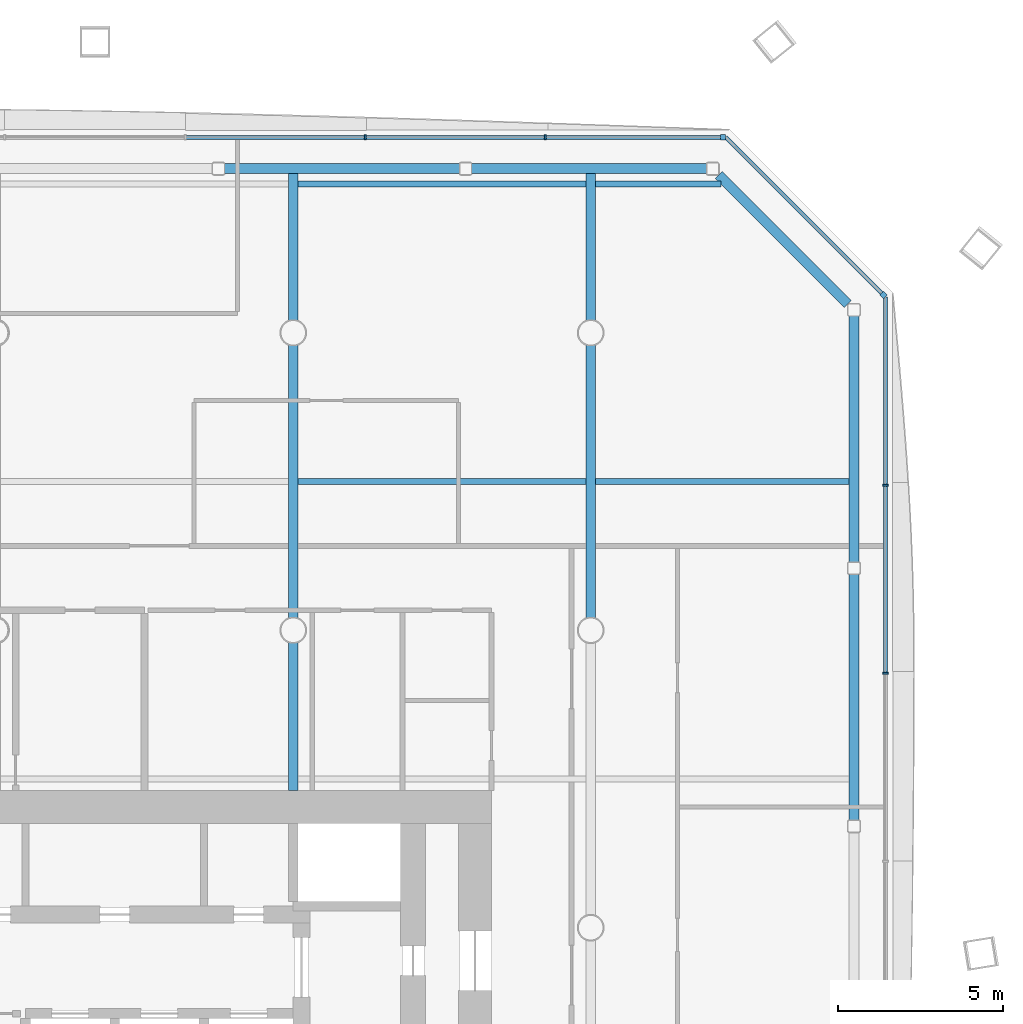
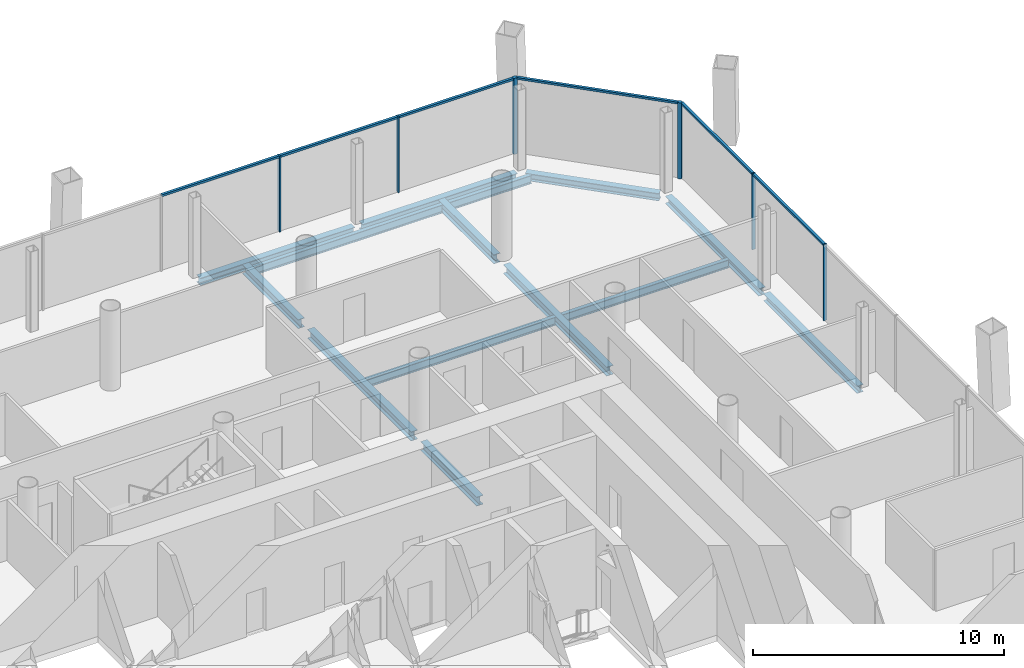
# One storey, part 9 of 19: 14 beams, 12 members, 3 elements without a shape of their own.
"""IFC4 building model written with IfcOpenShell, lengths in metres."""

from ifc_helpers import new_model, si_unit, direction, frame, origin, origin_2d, place, context, subcontext, project, spatial, rectangle, i_section, extrude, material, material_profile, profile_set, type_object, element, aggregate, save


model = new_model("IFC4")

# Units and contexts
model_context = context("Model", 3, precision=1e-05, world=origin(), true_north=direction((0.0, 1.0)))
body_context = subcontext(model_context, "Body", "Model", "MODEL_VIEW")
ifc_project = project(units=[si_unit("LENGTHUNIT", "METRE"), si_unit("AREAUNIT", "SQUARE_METRE"), si_unit("VOLUMEUNIT", "CUBIC_METRE"), si_unit("PLANEANGLEUNIT", "RADIAN"), si_unit("MASSUNIT", "GRAM", prefix="KILO")], contexts=[model_context])

# Site, building, storey
site_placement = place(None, origin())
site = spatial("IfcSite", under=ifc_project, at=site_placement, CompositionType="ELEMENT")
building_placement = place(site_placement, origin())
building = spatial("IfcBuilding", under=site, at=building_placement, Name="Tskaro Facet Tower", CompositionType="ELEMENT")
storey_placement = place(building_placement, frame((0.0, 0.0, 101.10009765625)))
storey = spatial("IfcBuildingStorey", under=building, at=storey_placement, Name="L24", CompositionType="ELEMENT", Elevation=101.10009765625)

# Curtain wall, member
ifc_material_1 = material(Name="Bronze anodised aluminium 6063-T6", Category="aluminium")
curtain_wall_type = type_object("IfcCurtainWallType", Name="Bronze office curtain wall (FW1)", PredefinedType="NOTDEFINED", material=ifc_material_1)
curtain_wall_1_placement = place(storey_placement, origin())
curtain_wall_1 = element("IfcCurtainWall", 1, at=curtain_wall_1_placement, inside=storey, type_object=curtain_wall_type, Name="FW1 north-east facet L24", PredefinedType="NOTDEFINED")
ifc_material_profile_1 = material_profile(ifc_material_1, rectangle(XDim=0.159912109375, YDim=0.159912109375, at=origin_2d()), Name="Corner post 160x160")
ifc_profile_set_1 = profile_set([ifc_material_profile_1], Name="Bronze anodised aluminium 6063-T6")
member_type_1 = type_object("IfcMemberType", Name="FW1 bronze corner post 160x160", PredefinedType="MULLION", material=ifc_profile_set_1)
member_1_placement = place(storey_placement, frame((26.8583984375, 19.1396484375, 0.0), z_axis=(0.0, 0.0, 1.0), x_axis=(-0.707106781187, 0.707106781187, 0.0)))
member_1 = element("IfcMember", 2, at=member_1_placement, type_object=member_type_1, Name="FW1 north-east corner post", PredefinedType="MULLION", context=body_context, shape_type="SweptSolid", body=[
    extrude(rectangle(XDim=0.159912109375, YDim=0.159912109375, at=origin_2d()), origin(), (0.0, 0.0, 1.0), 3.699951171875),
])

curtain_wall_2_placement = place(storey_placement, origin())
curtain_wall_2 = element("IfcCurtainWall", 3, at=curtain_wall_2_placement, inside=storey, type_object=curtain_wall_type, Name="FW1 north facet L24", PredefinedType="NOTDEFINED")
member_2_placement = place(storey_placement, frame((22.0029296875, 23.9150390625, 0.0), z_axis=(0.0, 0.0, 1.0), x_axis=(-1.0, 0.0, 0.0)))
member_2 = element("IfcMember", 4, at=member_2_placement, type_object=member_type_1, Name="FW1 north corner post", PredefinedType="MULLION", context=body_context, shape_type="SweptSolid", body=[
    extrude(rectangle(XDim=0.159912109375, YDim=0.159912109375, at=origin_2d()), origin(), (0.0, 0.0, 1.0), 3.699951171875),
])

# Curtain wall, members
curtain_wall_3_placement = place(storey_placement, origin())
curtain_wall_3 = element("IfcCurtainWall", 5, at=curtain_wall_3_placement, inside=storey, type_object=curtain_wall_type, Name="FW1 east facet L24", PredefinedType="NOTDEFINED")
ifc_material_profile_2 = material_profile(ifc_material_1, rectangle(XDim=0.06005859375, YDim=0.159912109375, at=origin_2d()), Name="Mullion 60x160")
ifc_profile_set_2 = profile_set([ifc_material_profile_2], Name="Bronze anodised aluminium 6063-T6")
member_type_2 = type_object("IfcMemberType", Name="FW1 bronze mullion 60x160", PredefinedType="MULLION", material=ifc_profile_set_2)
member_3_placement = place(storey_placement, frame((26.9150390625, 7.7001953125, 0.0), z_axis=(0.0, 0.0, 1.0), x_axis=(0.0, 1.0, 0.0)))
member_3 = element("IfcMember", 6, at=member_3_placement, type_object=member_type_2, Name="FW1 east mullion 5", PredefinedType="MULLION", context=body_context, shape_type="SweptSolid", body=[
    extrude(rectangle(XDim=0.06005859375, YDim=0.159912109375, at=origin_2d()), origin(), (0.0, 0.0, 1.0), 3.699951171875),
])
member_4_placement = place(storey_placement, frame((26.9150390625, 13.3916015625, 0.0), z_axis=(0.0, 0.0, 1.0), x_axis=(0.0, 1.0, 0.0)))
member_4 = element("IfcMember", 7, at=member_4_placement, type_object=member_type_2, Name="FW1 east mullion 6", PredefinedType="MULLION", context=body_context, shape_type="SweptSolid", body=[
    extrude(rectangle(XDim=0.06005859375, YDim=0.159912109375, at=origin_2d()), origin(), (0.0, 0.0, 1.0), 3.699951171875),
])

# Member
member_5_placement = place(storey_placement, frame((16.630615234375, 23.9150390625, 0.0), z_axis=(0.0, 0.0, 1.0), x_axis=(-1.0, 0.0, 0.0)))
member_5 = element("IfcMember", 8, at=member_5_placement, type_object=member_type_2, Name="FW1 north mullion 1", PredefinedType="MULLION", context=body_context, shape_type="SweptSolid", body=[
    extrude(rectangle(XDim=0.06005859375, YDim=0.159912109375, at=origin_2d()), origin(), (0.0, 0.0, 1.0), 3.699951171875),
])

member_6_placement = place(storey_placement, frame((11.178466796875, 23.9150390625, 0.0), z_axis=(0.0, 0.0, 1.0), x_axis=(-1.0, 0.0, 0.0)))
member_6 = element("IfcMember", 9, at=member_6_placement, type_object=member_type_2, Name="FW1 north mullion 2", PredefinedType="MULLION", context=body_context, shape_type="SweptSolid", body=[
    extrude(rectangle(XDim=0.06005859375, YDim=0.159912109375, at=origin_2d()), origin(), (0.0, 0.0, 1.0), 3.699951171875),
])

ifc_material_profile_3 = material_profile(ifc_material_1, rectangle(XDim=0.1201171875, YDim=0.10009765625, at=origin_2d()), Name="Transom 120x100")
ifc_profile_set_3 = profile_set([ifc_material_profile_3], Name="Bronze anodised aluminium 6063-T6")
member_type_3 = type_object("IfcMemberType", Name="FW1 bronze transom 120x100", PredefinedType="USERDEFINED", material=ifc_profile_set_3)
member_7_placement = place(storey_placement, frame((26.9150390625, 7.730224609375, 3.64990234375), z_axis=(0.0, 1.0, 0.0), x_axis=(-1.0, 0.0, 0.0)))
member_7 = element("IfcMember", 10, at=member_7_placement, type_object=member_type_3, Name="FW1 east transom 6.1", ObjectType="TRANSOM", PredefinedType="USERDEFINED", context=body_context, shape_type="SweptSolid", body=[
    extrude(rectangle(XDim=0.1201171875, YDim=0.10009765625, at=origin_2d()), origin(), (0.0, 0.0, 1.0), 5.63134765625),
])

member_8_placement = place(storey_placement, frame((26.9150390625, 13.421630859375, 3.64990234375), z_axis=(0.0, 1.0, 0.0), x_axis=(-1.0, 0.0, 0.0)))
member_8 = element("IfcMember", 11, at=member_8_placement, type_object=member_type_3, Name="FW1 east transom 7.1", ObjectType="TRANSOM", PredefinedType="USERDEFINED", context=body_context, shape_type="SweptSolid", body=[
    extrude(rectangle(XDim=0.1201171875, YDim=0.10009765625, at=origin_2d()), origin(), (0.0, 0.0, 1.0), 5.661376953125),
])

aggregate(curtain_wall_3, [member_3, member_4, member_7, member_8])

member_9_placement = place(storey_placement, frame((26.8017578125, 19.196044921875, 3.64990234375), z_axis=(-0.707088489133, 0.707125072767, 0.0), x_axis=(-0.707125072767, -0.707088489133, 0.0)))
member_9 = element("IfcMember", 12, at=member_9_placement, type_object=member_type_3, Name="FW1 north-east transom 1.1", ObjectType="TRANSOM", PredefinedType="USERDEFINED", context=body_context, shape_type="SweptSolid", body=[
    extrude(rectangle(XDim=0.1201171875, YDim=0.10009765625, at=origin_2d()), origin(), (0.0, 0.0, 1.0), 6.673583984375),
])

aggregate(curtain_wall_1, [member_1, member_9])

member_10_placement = place(storey_placement, frame((21.923095703125, 23.9150390625, 3.64990234375), z_axis=(-1.0, 0.0, 0.0), x_axis=(0.0, -1.0, 0.0)))
member_10 = element("IfcMember", 13, at=member_10_placement, type_object=member_type_3, Name="FW1 north transom 1.1", ObjectType="TRANSOM", PredefinedType="USERDEFINED", context=body_context, shape_type="SweptSolid", body=[
    extrude(rectangle(XDim=0.1201171875, YDim=0.10009765625, at=origin_2d()), origin(), (0.0, 0.0, 1.0), 5.262451171875),
])

member_11_placement = place(storey_placement, frame((16.600830078125, 23.9150390625, 3.64990234375), z_axis=(-1.0, 0.0, 0.0), x_axis=(0.0, -1.0, 0.0)))
member_11 = element("IfcMember", 14, at=member_11_placement, type_object=member_type_3, Name="FW1 north transom 2.1", ObjectType="TRANSOM", PredefinedType="USERDEFINED", context=body_context, shape_type="SweptSolid", body=[
    extrude(rectangle(XDim=0.1201171875, YDim=0.10009765625, at=origin_2d()), origin(), (0.0, 0.0, 1.0), 5.392333984375),
])

member_12_placement = place(storey_placement, frame((11.1484375, 23.9150390625, 3.64990234375), z_axis=(-1.0, 0.0, 0.0), x_axis=(0.0, -1.0, 0.0)))
member_12 = element("IfcMember", 15, at=member_12_placement, type_object=member_type_3, Name="FW1 north transom 3.1", ObjectType="TRANSOM", PredefinedType="USERDEFINED", context=body_context, shape_type="SweptSolid", body=[
    extrude(rectangle(XDim=0.1201171875, YDim=0.10009765625, at=origin_2d()), origin(), (0.0, 0.0, 1.0), 5.392333984375),
])

aggregate(curtain_wall_2, [member_2, member_5, member_6, member_10, member_11, member_12])

# Beams
ifc_material_2 = material(Name="Steel S355J2", Category="steel")
ifc_material_profile_4 = material_profile(ifc_material_2, i_section(OverallWidth=0.300048828125, OverallDepth=0.360107421875, WebThickness=0.012451171875, FlangeThickness=0.0224609375, FilletRadius=0.027099609375, at=origin_2d()), Name="HE 360 B")
ifc_profile_set_4 = profile_set([ifc_material_profile_4], Name="Steel S355J2")
beam_type_1 = type_object("IfcBeamType", Name="HE 360 B ring beam", PredefinedType="BEAM", material=ifc_profile_set_4)
for number, where, z_axis, x_axis, name in (
    (16, (25.965087890625, 3.248046875, -0.320068359375), (0.0, 1.0, 0.0), (-1.0, 0.0, 0.0), "HE 360 B EB10-2"),
    (17, (25.965087890625, 11.05908203125, -0.320068359375), (0.0, 1.0, 0.0), (-1.0, 0.0, 0.0), "HE 360 B EB11-2"),
):
    element("IfcBeam", number, at=place(storey_placement, frame(where, z_axis=z_axis, x_axis=x_axis)), inside=storey, type_object=beam_type_1, Name=name, PredefinedType="BEAM", context=body_context, shape_type="SweptSolid", body=[
        extrude(i_section(OverallWidth=0.300048828125, OverallDepth=0.360107421875, WebThickness=0.012451171875, FlangeThickness=0.0224609375, FilletRadius=0.027099609375, at=origin_2d()), origin(), (0.0, 0.0, 1.0), 7.450927734375),
    ])
beam_1_placement = place(storey_placement, frame((25.779052734375, 18.8759765625, -0.320068359375), z_axis=(-0.707106781187, 0.707106781187, 0.0), x_axis=(-0.707106781187, -0.707106781187, 0.0)))
element("IfcBeam", 18, at=beam_1_placement, inside=storey, type_object=beam_type_1, Name="HE 360 B EB12-2", PredefinedType="BEAM", context=body_context, shape_type="SweptSolid", body=[
    extrude(i_section(OverallWidth=0.300048828125, OverallDepth=0.360107421875, WebThickness=0.012451171875, FlangeThickness=0.0224609375, FilletRadius=0.027099609375, at=origin_2d()), origin(), (0.0, 0.0, 1.0), 5.519775390625),
])
for number, where, z_axis, x_axis, name in (
    (19, (21.510009765625, 22.965087890625, -0.320068359375), (-1.0, 0.0, 0.0), (0.0, -1.0, 0.0), "HE 360 B EB13-2"),
    (20, (14.033935546875, 22.965087890625, -0.320068359375), (-1.0, 0.0, 0.0), (0.0, -1.0, 0.0), "HE 360 B EB14-2"),
):
    element("IfcBeam", number, at=place(storey_placement, frame(where, z_axis=z_axis, x_axis=x_axis)), inside=storey, type_object=beam_type_1, Name=name, PredefinedType="BEAM", context=body_context, shape_type="SweptSolid", body=[
        extrude(i_section(OverallWidth=0.300048828125, OverallDepth=0.360107421875, WebThickness=0.012451171875, FlangeThickness=0.0224609375, FilletRadius=0.027099609375, at=origin_2d()), origin(), (0.0, 0.0, 1.0), 7.115966796875),
    ])
ifc_material_profile_5 = material_profile(ifc_material_2, i_section(OverallWidth=0.300048828125, OverallDepth=0.43994140625, WebThickness=0.011474609375, FlangeThickness=0.02099609375, FilletRadius=0.027099609375, at=origin_2d()), Name="HE 450 A")
ifc_profile_set_5 = profile_set([ifc_material_profile_5], Name="Steel S355J2")
beam_type_2 = type_object("IfcBeamType", Name="HE 450 A girder", PredefinedType="BEAM", material=ifc_profile_set_5)
beam_2_placement = place(storey_placement, frame((9.0, 4.14990234375, -0.360107421875), z_axis=(0.0, 1.0, 0.0), x_axis=(-1.0, 0.0, 0.0)))
element("IfcBeam", 21, at=beam_2_placement, inside=storey, type_object=beam_type_2, Name="HE 450 A GB5-3-2", PredefinedType="BEAM", context=body_context, shape_type="SweptSolid", body=[
    extrude(i_section(OverallWidth=0.300048828125, OverallDepth=0.43994140625, WebThickness=0.011474609375, FlangeThickness=0.02099609375, FilletRadius=0.027099609375, at=origin_2d()), origin(), (0.0, 0.0, 1.0), 4.4736328125),
])
beam_3_placement = place(storey_placement, frame((9.0, 9.37646484375, -0.360107421875), z_axis=(0.0, 1.0, 0.0), x_axis=(-1.0, 0.0, 0.0)))
element("IfcBeam", 22, at=beam_3_placement, inside=storey, type_object=beam_type_2, Name="HE 450 A GB5-4-2", PredefinedType="BEAM", context=body_context, shape_type="SweptSolid", body=[
    extrude(i_section(OverallWidth=0.300048828125, OverallDepth=0.43994140625, WebThickness=0.011474609375, FlangeThickness=0.02099609375, FilletRadius=0.027099609375, at=origin_2d()), origin(), (0.0, 0.0, 1.0), 8.2470703125),
])
beam_4_placement = place(storey_placement, frame((9.0, 18.37646484375, -0.360107421875), z_axis=(0.0, 1.0, 0.0), x_axis=(-1.0, 0.0, 0.0)))
element("IfcBeam", 23, at=beam_4_placement, inside=storey, type_object=beam_type_2, Name="HE 450 A GB5-5-2", PredefinedType="BEAM", context=body_context, shape_type="SweptSolid", body=[
    extrude(i_section(OverallWidth=0.300048828125, OverallDepth=0.43994140625, WebThickness=0.011474609375, FlangeThickness=0.02099609375, FilletRadius=0.027099609375, at=origin_2d()), origin(), (0.0, 0.0, 1.0), 4.4384765625),
])
beam_5_placement = place(storey_placement, frame((18.0, 9.37646484375, -0.360107421875), z_axis=(0.0, 1.0, 0.0), x_axis=(-1.0, 0.0, 0.0)))
element("IfcBeam", 24, at=beam_5_placement, inside=storey, type_object=beam_type_2, Name="HE 450 A GB6-5-2", PredefinedType="BEAM", context=body_context, shape_type="SweptSolid", body=[
    extrude(i_section(OverallWidth=0.300048828125, OverallDepth=0.43994140625, WebThickness=0.011474609375, FlangeThickness=0.02099609375, FilletRadius=0.027099609375, at=origin_2d()), origin(), (0.0, 0.0, 1.0), 8.2470703125),
])
beam_6_placement = place(storey_placement, frame((18.0, 18.37646484375, -0.360107421875), z_axis=(0.0, 1.0, 0.0), x_axis=(-1.0, 0.0, 0.0)))
element("IfcBeam", 25, at=beam_6_placement, inside=storey, type_object=beam_type_2, Name="HE 450 A GB6-6-2", PredefinedType="BEAM", context=body_context, shape_type="SweptSolid", body=[
    extrude(i_section(OverallWidth=0.300048828125, OverallDepth=0.43994140625, WebThickness=0.011474609375, FlangeThickness=0.02099609375, FilletRadius=0.027099609375, at=origin_2d()), origin(), (0.0, 0.0, 1.0), 4.4384765625),
])
ifc_material_profile_6 = material_profile(ifc_material_2, i_section(OverallWidth=0.179931640625, OverallDepth=0.39990234375, WebThickness=0.008544921875, FlangeThickness=0.013427734375, FilletRadius=0.02099609375, at=origin_2d()), Name="IPE 400")
ifc_profile_set_6 = profile_set([ifc_material_profile_6], Name="Steel S355J2")
beam_type_3 = type_object("IfcBeamType", Name="IPE 400 secondary beam", PredefinedType="BEAM", material=ifc_profile_set_6)
beam_7_placement = place(storey_placement, frame((9.14990234375, 13.5, -0.340087890625), z_axis=(1.0, 0.0, 0.0), x_axis=(0.0, 1.0, 0.0)))
element("IfcBeam", 26, at=beam_7_placement, inside=storey, type_object=beam_type_3, Name="IPE 400 SB5a-4-2", PredefinedType="BEAM", context=body_context, shape_type="SweptSolid", body=[
    extrude(i_section(OverallWidth=0.179931640625, OverallDepth=0.39990234375, WebThickness=0.008544921875, FlangeThickness=0.013427734375, FilletRadius=0.02099609375, at=origin_2d()), origin(), (0.0, 0.0, 1.0), 8.7001953125),
])
beam_8_placement = place(storey_placement, frame((18.14990234375, 13.5, -0.340087890625), z_axis=(1.0, 0.0, 0.0), x_axis=(0.0, 1.0, 0.0)))
element("IfcBeam", 27, at=beam_8_placement, inside=storey, type_object=beam_type_3, Name="IPE 400 SB5a-5-2", PredefinedType="BEAM", context=body_context, shape_type="SweptSolid", body=[
    extrude(i_section(OverallWidth=0.179931640625, OverallDepth=0.39990234375, WebThickness=0.008544921875, FlangeThickness=0.013427734375, FilletRadius=0.02099609375, at=origin_2d()), origin(), (0.0, 0.0, 1.0), 7.6650390625),
])
beam_9_placement = place(storey_placement, frame((9.14990234375, 22.5, -0.340087890625), z_axis=(1.0, 0.0, 0.0), x_axis=(0.0, 1.0, 0.0)))
element("IfcBeam", 28, at=beam_9_placement, inside=storey, type_object=beam_type_3, Name="IPE 400 SB6a-4-2", PredefinedType="BEAM", context=body_context, shape_type="SweptSolid", body=[
    extrude(i_section(OverallWidth=0.179931640625, OverallDepth=0.39990234375, WebThickness=0.008544921875, FlangeThickness=0.013427734375, FilletRadius=0.02099609375, at=origin_2d()), origin(), (0.0, 0.0, 1.0), 8.7001953125),
])
beam_10_placement = place(storey_placement, frame((18.14990234375, 22.5, -0.340087890625), z_axis=(1.0, 0.0, 0.0), x_axis=(0.0, 1.0, 0.0)))
element("IfcBeam", 29, at=beam_10_placement, inside=storey, type_object=beam_type_3, Name="IPE 400 SB6a-5-2", PredefinedType="BEAM", context=body_context, shape_type="SweptSolid", body=[
    extrude(i_section(OverallWidth=0.179931640625, OverallDepth=0.39990234375, WebThickness=0.008544921875, FlangeThickness=0.013427734375, FilletRadius=0.02099609375, at=origin_2d()), origin(), (0.0, 0.0, 1.0), 3.793212890625),
])

save(model, "model.ifc")
